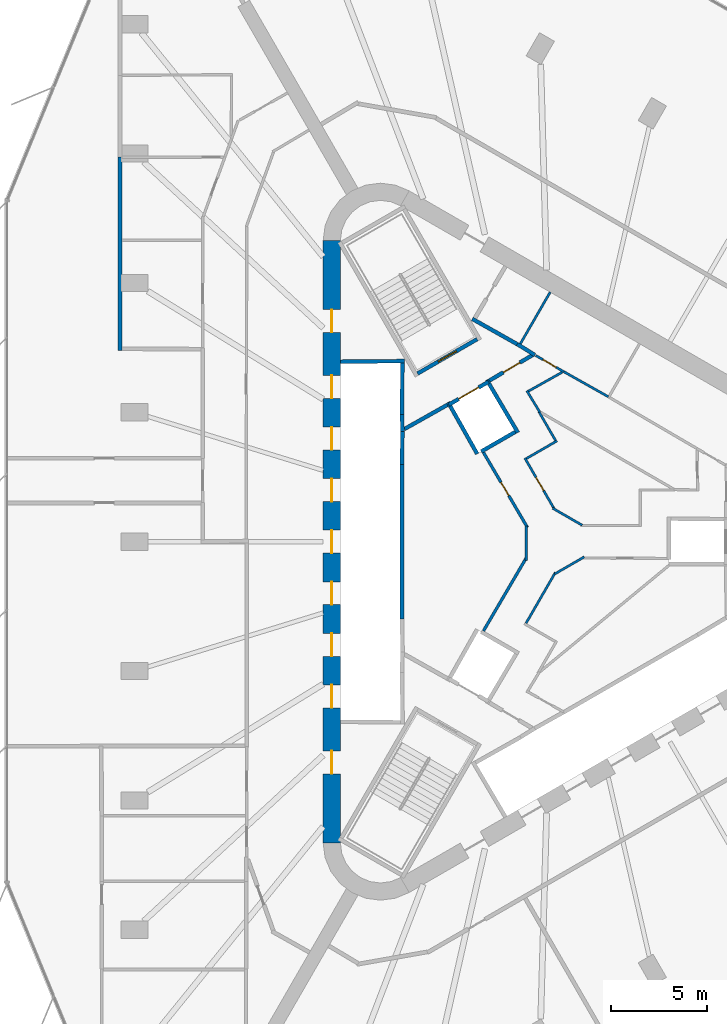
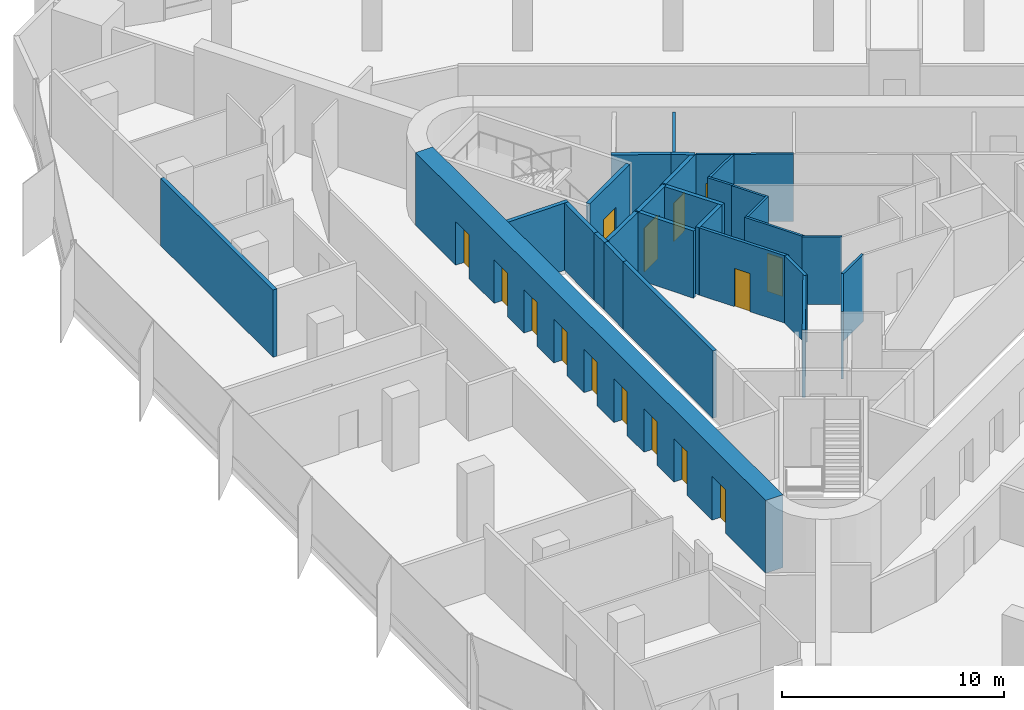
# One storey, part 10 of 14: 30 walls, 15 doors, 15 openings.
"""IFC4 building model written with IfcOpenShell, lengths in metres."""

from ifc_helpers import new_model, si_unit, direction, frame, frame_2d, origin, place, context, subcontext, project, spatial, rectangle, extrude, material, layer, layer_set, type_object, element, fill, save


model = new_model("IFC4")

# Units and contexts
model_context = context("Model", 3, precision=1e-05, world=origin(), true_north=direction((0.0, 1.0)))
body_context = subcontext(model_context, "Body", "Model", "MODEL_VIEW")
ifc_project = project(units=[si_unit("LENGTHUNIT", "METRE"), si_unit("AREAUNIT", "SQUARE_METRE"), si_unit("VOLUMEUNIT", "CUBIC_METRE"), si_unit("PLANEANGLEUNIT", "RADIAN"), si_unit("MASSUNIT", "GRAM", prefix="KILO")], contexts=[model_context])

# Site, building, storey
site_placement = place(None, origin())
site = spatial("IfcSite", under=ifc_project, at=site_placement, CompositionType="ELEMENT")
building_placement = place(site_placement, origin())
building = spatial("IfcBuilding", under=site, at=building_placement, Name="Tanit Gate Tower", CompositionType="ELEMENT")
storey_placement = place(building_placement, frame((0.0, 0.0, 237.199951171875)))
storey = spatial("IfcBuildingStorey", under=building, at=storey_placement, Name="L53", CompositionType="ELEMENT", Elevation=237.199951171875)

# Wall, openings, doors
ifc_material_1 = material(Name="Concrete C50/60", Category="concrete")
ifc_layer_1 = layer(ifc_material_1, 0.89990234375)
ifc_layer_set_1 = layer_set([ifc_layer_1], Name="CORE WALL 900 C50/60")
wall_type_1 = type_object("IfcWallType", Name="CORE WALL 900 C50/60", PredefinedType="SHEAR", material=ifc_layer_set_1)
wall_1_placement = place(storey_placement, frame((-11.64990234375, 15.76171875, 0.0), z_axis=(0.0, 0.0, 1.0), x_axis=(0.0, -1.0, 0.0)))
wall_1 = element("IfcWall", 1, at=wall_1_placement, inside=storey, type_object=wall_type_1, Name="CORE WALL", PredefinedType="SHEAR", context=body_context, shape_type="SweptSolid", body=[
    extrude(rectangle(XDim=31.5234375, YDim=0.89990234375, at=frame_2d((15.76171875, 0.0))), origin(), (0.0, 0.0, 1.0), 4.0),
])
opening_1_placement = place(wall_1_placement, frame((7.061767578125, 0.0, 0.0)))
opening_1 = element("IfcOpeningElement", 2, at=opening_1_placement, cuts=wall_1, Name="Opening LDML1-S14", PredefinedType="OPENING", context=body_context, shape_type="SweptSolid", body=[
    extrude(rectangle(XDim=1.199951171875, YDim=2.39990234375, at=frame_2d((0.60009765625, 1.199951171875))), frame((0.0, 0.4599609375, 0.0), z_axis=(0.0, -1.0, 0.0), x_axis=(1.0, 0.0, 0.0)), (0.0, 0.0, 1.0), 0.919921875),
])
opening_2_placement = place(wall_1_placement, frame((9.76171875, 0.0, 0.0)))
opening_2 = element("IfcOpeningElement", 3, at=opening_2_placement, cuts=wall_1, Name="Opening LDML2-S14", PredefinedType="OPENING", context=body_context, shape_type="SweptSolid", body=[
    extrude(rectangle(XDim=1.199951171875, YDim=2.39990234375, at=frame_2d((0.60009765625, 1.199951171875))), frame((0.0, 0.4599609375, 0.0), z_axis=(0.0, -1.0, 0.0), x_axis=(1.0, 0.0, 0.0)), (0.0, 0.0, 1.0), 0.919921875),
])
opening_3_placement = place(wall_1_placement, frame((12.461669921875, 0.0, 0.0)))
opening_3 = element("IfcOpeningElement", 4, at=opening_3_placement, cuts=wall_1, Name="Opening LDML3-S14", PredefinedType="OPENING", context=body_context, shape_type="SweptSolid", body=[
    extrude(rectangle(XDim=1.199951171875, YDim=2.39990234375, at=frame_2d((0.60009765625, 1.199951171875))), frame((0.0, 0.4599609375, 0.0), z_axis=(0.0, -1.0, 0.0), x_axis=(1.0, 0.0, 0.0)), (0.0, 0.0, 1.0), 0.919921875),
])
opening_4_placement = place(wall_1_placement, frame((15.16162109375, 0.0, 0.0)))
opening_4 = element("IfcOpeningElement", 5, at=opening_4_placement, cuts=wall_1, Name="Opening LDML4-S14", PredefinedType="OPENING", context=body_context, shape_type="SweptSolid", body=[
    extrude(rectangle(XDim=1.199951171875, YDim=2.39990234375, at=frame_2d((0.60009765625, 1.199951171875))), frame((0.0, 0.4599609375, 0.0), z_axis=(0.0, -1.0, 0.0), x_axis=(1.0, 0.0, 0.0)), (0.0, 0.0, 1.0), 0.919921875),
])
opening_5_placement = place(wall_1_placement, frame((17.86181640625, 0.0, 0.0)))
opening_5 = element("IfcOpeningElement", 6, at=opening_5_placement, cuts=wall_1, Name="Opening LDML5-S14", PredefinedType="OPENING", context=body_context, shape_type="SweptSolid", body=[
    extrude(rectangle(XDim=1.199951171875, YDim=2.39990234375, at=frame_2d((0.60009765625, 1.199951171875))), frame((0.0, 0.4599609375, 0.0), z_axis=(0.0, -1.0, 0.0), x_axis=(1.0, 0.0, 0.0)), (0.0, 0.0, 1.0), 0.919921875),
])
opening_6_placement = place(wall_1_placement, frame((20.561767578125, 0.0, 0.0)))
opening_6 = element("IfcOpeningElement", 7, at=opening_6_placement, cuts=wall_1, Name="Opening LDML6-S14", PredefinedType="OPENING", context=body_context, shape_type="SweptSolid", body=[
    extrude(rectangle(XDim=1.199951171875, YDim=2.39990234375, at=frame_2d((0.60009765625, 1.199951171875))), frame((0.0, 0.4599609375, 0.0), z_axis=(0.0, -1.0, 0.0), x_axis=(1.0, 0.0, 0.0)), (0.0, 0.0, 1.0), 0.919921875),
])
opening_7_placement = place(wall_1_placement, frame((23.26171875, 0.0, 0.0)))
opening_7 = element("IfcOpeningElement", 8, at=opening_7_placement, cuts=wall_1, Name="Opening LDML7-S14", PredefinedType="OPENING", context=body_context, shape_type="SweptSolid", body=[
    extrude(rectangle(XDim=1.199951171875, YDim=2.39990234375, at=frame_2d((0.60009765625, 1.199951171875))), frame((0.0, 0.4599609375, 0.0), z_axis=(0.0, -1.0, 0.0), x_axis=(1.0, 0.0, 0.0)), (0.0, 0.0, 1.0), 0.919921875),
])
opening_8_placement = place(wall_1_placement, frame((3.61181640625, 0.0, 0.0)))
opening_8 = element("IfcOpeningElement", 9, at=opening_8_placement, cuts=wall_1, Name="Opening F12-S14-FL2", PredefinedType="OPENING", context=body_context, shape_type="SweptSolid", body=[
    extrude(rectangle(XDim=1.199951171875, YDim=2.39990234375, at=frame_2d((0.60009765625, 1.199951171875))), frame((0.0, 0.4599609375, 0.0), z_axis=(0.0, -1.0, 0.0), x_axis=(1.0, 0.0, 0.0)), (0.0, 0.0, 1.0), 0.919921875),
])
opening_9_placement = place(wall_1_placement, frame((26.711669921875, 0.0, 0.0)))
opening_9 = element("IfcOpeningElement", 10, at=opening_9_placement, cuts=wall_1, Name="Opening F12-S14-S3", PredefinedType="OPENING", context=body_context, shape_type="SweptSolid", body=[
    extrude(rectangle(XDim=1.199951171875, YDim=2.39990234375, at=frame_2d((0.60009765625, 1.199951171875))), frame((0.0, 0.4599609375, 0.0), z_axis=(0.0, -1.0, 0.0), x_axis=(1.0, 0.0, 0.0)), (0.0, 0.0, 1.0), 0.919921875),
])
ifc_material_2 = material(Name="Fire-rated steel door leaf", Category="steel")
door_type_1 = type_object("IfcDoorType", Name="INT-DOOR-FIRE-LOBBY-1200", OperationType="NOTDEFINED", PredefinedType="USERDEFINED", material=ifc_material_2)
door_1_placement = place(opening_8_placement, origin())
door_1 = element("IfcDoor", 11, at=door_1_placement, inside=storey, type_object=door_type_1, Name="Door F12-S14-FL2", ObjectType="FIRE DOOR", OperationType="SINGLE_SWING_LEFT", OverallHeight=2.39990234375, OverallWidth=1.199951171875, PredefinedType="USERDEFINED", context=body_context, shape_type="SweptSolid", body=[
    extrude(rectangle(XDim=1.199951171875, YDim=2.39990234375, at=frame_2d((0.60009765625, 1.199951171875))), frame((0.0, 0.02490234375, 0.0), z_axis=(0.0, -1.0, 0.0), x_axis=(1.0, 0.0, 0.0)), (0.0, 0.0, 1.0), 0.050048828125),
])
fill(opening_8, door_1)
door_2_placement = place(opening_9_placement, origin())
door_2 = element("IfcDoor", 12, at=door_2_placement, inside=storey, type_object=door_type_1, Name="Door F12-S14-S3", ObjectType="FIRE DOOR", OperationType="SINGLE_SWING_LEFT", OverallHeight=2.39990234375, OverallWidth=1.199951171875, PredefinedType="USERDEFINED", context=body_context, shape_type="SweptSolid", body=[
    extrude(rectangle(XDim=1.199951171875, YDim=2.39990234375, at=frame_2d((0.60009765625, 1.199951171875))), frame((0.0, 0.02490234375, 0.0), z_axis=(0.0, -1.0, 0.0), x_axis=(1.0, 0.0, 0.0)), (0.0, 0.0, 1.0), 0.050048828125),
])
fill(opening_9, door_2)
ifc_material_3 = material(Name="Stainless steel sliding door leaf", Category="steel")
door_type_2 = type_object("IfcDoorType", Name="INT-DOOR-LANDING-1200", OperationType="NOTDEFINED", PredefinedType="USERDEFINED", material=ifc_material_3)
door_3_placement = place(opening_1_placement, origin())
door_3 = element("IfcDoor", 13, at=door_3_placement, inside=storey, type_object=door_type_2, Name="Door LDML1-S14", ObjectType="LANDING DOOR", OperationType="SLIDING_TO_LEFT", OverallHeight=2.39990234375, OverallWidth=1.199951171875, PredefinedType="USERDEFINED", context=body_context, shape_type="SweptSolid", body=[
    extrude(rectangle(XDim=1.199951171875, YDim=2.39990234375, at=frame_2d((0.60009765625, 1.199951171875))), frame((0.0, 0.02490234375, 0.0), z_axis=(0.0, -1.0, 0.0), x_axis=(1.0, 0.0, 0.0)), (0.0, 0.0, 1.0), 0.050048828125),
])
fill(opening_1, door_3)
door_4_placement = place(opening_2_placement, origin())
door_4 = element("IfcDoor", 14, at=door_4_placement, inside=storey, type_object=door_type_2, Name="Door LDML2-S14", ObjectType="LANDING DOOR", OperationType="SLIDING_TO_LEFT", OverallHeight=2.39990234375, OverallWidth=1.199951171875, PredefinedType="USERDEFINED", context=body_context, shape_type="SweptSolid", body=[
    extrude(rectangle(XDim=1.199951171875, YDim=2.39990234375, at=frame_2d((0.60009765625, 1.199951171875))), frame((0.0, 0.02490234375, 0.0), z_axis=(0.0, -1.0, 0.0), x_axis=(1.0, 0.0, 0.0)), (0.0, 0.0, 1.0), 0.050048828125),
])
fill(opening_2, door_4)
door_5_placement = place(opening_3_placement, origin())
door_5 = element("IfcDoor", 15, at=door_5_placement, inside=storey, type_object=door_type_2, Name="Door LDML3-S14", ObjectType="LANDING DOOR", OperationType="SLIDING_TO_LEFT", OverallHeight=2.39990234375, OverallWidth=1.199951171875, PredefinedType="USERDEFINED", context=body_context, shape_type="SweptSolid", body=[
    extrude(rectangle(XDim=1.199951171875, YDim=2.39990234375, at=frame_2d((0.60009765625, 1.199951171875))), frame((0.0, 0.02490234375, 0.0), z_axis=(0.0, -1.0, 0.0), x_axis=(1.0, 0.0, 0.0)), (0.0, 0.0, 1.0), 0.050048828125),
])
fill(opening_3, door_5)
door_6_placement = place(opening_4_placement, origin())
door_6 = element("IfcDoor", 16, at=door_6_placement, inside=storey, type_object=door_type_2, Name="Door LDML4-S14", ObjectType="LANDING DOOR", OperationType="SLIDING_TO_LEFT", OverallHeight=2.39990234375, OverallWidth=1.199951171875, PredefinedType="USERDEFINED", context=body_context, shape_type="SweptSolid", body=[
    extrude(rectangle(XDim=1.199951171875, YDim=2.39990234375, at=frame_2d((0.60009765625, 1.199951171875))), frame((0.0, 0.02490234375, 0.0), z_axis=(0.0, -1.0, 0.0), x_axis=(1.0, 0.0, 0.0)), (0.0, 0.0, 1.0), 0.050048828125),
])
fill(opening_4, door_6)
door_7_placement = place(opening_5_placement, origin())
door_7 = element("IfcDoor", 17, at=door_7_placement, inside=storey, type_object=door_type_2, Name="Door LDML5-S14", ObjectType="LANDING DOOR", OperationType="SLIDING_TO_LEFT", OverallHeight=2.39990234375, OverallWidth=1.199951171875, PredefinedType="USERDEFINED", context=body_context, shape_type="SweptSolid", body=[
    extrude(rectangle(XDim=1.199951171875, YDim=2.39990234375, at=frame_2d((0.60009765625, 1.199951171875))), frame((0.0, 0.02490234375, 0.0), z_axis=(0.0, -1.0, 0.0), x_axis=(1.0, 0.0, 0.0)), (0.0, 0.0, 1.0), 0.050048828125),
])
fill(opening_5, door_7)
door_8_placement = place(opening_6_placement, origin())
door_8 = element("IfcDoor", 18, at=door_8_placement, inside=storey, type_object=door_type_2, Name="Door LDML6-S14", ObjectType="LANDING DOOR", OperationType="SLIDING_TO_LEFT", OverallHeight=2.39990234375, OverallWidth=1.199951171875, PredefinedType="USERDEFINED", context=body_context, shape_type="SweptSolid", body=[
    extrude(rectangle(XDim=1.199951171875, YDim=2.39990234375, at=frame_2d((0.60009765625, 1.199951171875))), frame((0.0, 0.02490234375, 0.0), z_axis=(0.0, -1.0, 0.0), x_axis=(1.0, 0.0, 0.0)), (0.0, 0.0, 1.0), 0.050048828125),
])
fill(opening_6, door_8)
door_9_placement = place(opening_7_placement, origin())
door_9 = element("IfcDoor", 19, at=door_9_placement, inside=storey, type_object=door_type_2, Name="Door LDML7-S14", ObjectType="LANDING DOOR", OperationType="SLIDING_TO_LEFT", OverallHeight=2.39990234375, OverallWidth=1.199951171875, PredefinedType="USERDEFINED", context=body_context, shape_type="SweptSolid", body=[
    extrude(rectangle(XDim=1.199951171875, YDim=2.39990234375, at=frame_2d((0.60009765625, 1.199951171875))), frame((0.0, 0.02490234375, 0.0), z_axis=(0.0, -1.0, 0.0), x_axis=(1.0, 0.0, 0.0)), (0.0, 0.0, 1.0), 0.050048828125),
])
fill(opening_7, door_9)

# Walls
ifc_material_4 = material(Name="Fire-rated gypsum board partition")
ifc_layer_2 = layer(ifc_material_4, 0.199951171875)
ifc_layer_set_2 = layer_set([ifc_layer_2], Name="INT-WALL-COMPARTMENT")
wall_type_2 = type_object("IfcWallType", Name="INT-WALL-COMPARTMENT", PredefinedType="PARTITIONING", material=ifc_layer_set_2)
wall_2_placement = place(storey_placement, frame((-1.940673828125, 10.338623046875, 0.0), z_axis=(0.0, 0.0, 1.0), x_axis=(0.850216889117, -0.526432561171, 0.0)))
element("IfcWall", 20, at=wall_2_placement, inside=storey, type_object=wall_type_2, Name="Wall Compartment W054", PredefinedType="PARTITIONING", context=body_context, shape_type="SweptSolid", body=[
    extrude(rectangle(XDim=1.078369140625, YDim=0.199951171875, at=frame_2d((0.5390625, 0.0))), origin(), (0.0, 0.0, 1.0), 3.699951171875),
])
wall_3_placement = place(storey_placement, frame((-4.296142578125, 11.658935546875, 0.0), z_axis=(0.0, 0.0, 1.0), x_axis=(0.871534483978, -0.490334215854, 0.0)))
element("IfcWall", 21, at=wall_3_placement, inside=storey, type_object=wall_type_2, Name="Wall Compartment W057", PredefinedType="PARTITIONING", context=body_context, shape_type="SweptSolid", body=[
    extrude(rectangle(XDim=2.7001953125, YDim=0.199951171875, at=frame_2d((1.35009765625, 0.0))), origin(), (0.0, 0.0, 1.0), 3.699951171875),
])
wall_4_placement = place(storey_placement, frame((-5.600341796875, 7.16015625, 0.0), z_axis=(0.0, 0.0, 1.0), x_axis=(-0.871340486379, -0.490678873396, 0.0)))
element("IfcWall", 22, at=wall_4_placement, inside=storey, type_object=wall_type_2, Name="Wall Compartment W063", PredefinedType="PARTITIONING", context=body_context, shape_type="SweptSolid", body=[
    extrude(rectangle(XDim=2.580810546875, YDim=0.199951171875, at=frame_2d((1.29052734375, 0.0))), origin(), (0.0, 0.0, 1.0), 3.699951171875),
])

# Wall, opening, door
wall_5_placement = place(storey_placement, frame((-1.069091796875, 9.809814453125, 0.0), z_axis=(0.0, 0.0, 1.0), x_axis=(-0.860617791406, -0.509251428192, 0.0)))
wall_5 = element("IfcWall", 23, at=wall_5_placement, inside=storey, type_object=wall_type_2, Name="Wall Compartment W064", PredefinedType="PARTITIONING", context=body_context, shape_type="SweptSolid", body=[
    extrude(rectangle(XDim=2.709228515625, YDim=0.199951171875, at=frame_2d((1.3544921875, 0.0))), origin(), (0.0, 0.0, 1.0), 3.699951171875),
])
opening_10_placement = place(wall_5_placement, frame((0.86083984375, 0.0, 0.0)))
opening_10 = element("IfcOpeningElement", 24, at=opening_10_placement, cuts=wall_5, Name="Opening F10-S14-05", PredefinedType="OPENING", context=body_context, shape_type="SweptSolid", body=[
    extrude(rectangle(XDim=1.0, YDim=2.10009765625, at=frame_2d((0.5, 1.050048828125))), frame((0.0, 0.10986328125, 0.0), z_axis=(0.0, -1.0, 0.0), x_axis=(1.0, 0.0, 0.0)), (0.0, 0.0, 1.0), 0.219970703125),
])
ifc_material_5 = material(Name="Fire-rated steel door leaf", Category="steel")
door_type_3 = type_object("IfcDoorType", Name="INT-DOOR-FIRE-1000", OperationType="NOTDEFINED", PredefinedType="USERDEFINED", material=ifc_material_5)
door_10_placement = place(opening_10_placement, origin())
door_10 = element("IfcDoor", 25, at=door_10_placement, inside=storey, type_object=door_type_3, Name="Door F10-S14-05", ObjectType="FIRE DOOR", OperationType="SINGLE_SWING_LEFT", OverallHeight=2.10009765625, OverallWidth=1.0, PredefinedType="USERDEFINED", context=body_context, shape_type="SweptSolid", body=[
    extrude(rectangle(XDim=1.0, YDim=2.10009765625, at=frame_2d((0.5, 1.050048828125))), frame((0.0, 0.02490234375, 0.0), z_axis=(0.0, -1.0, 0.0), x_axis=(1.0, 0.0, 0.0)), (0.0, 0.0, 1.0), 0.050048828125),
])
fill(opening_10, door_10)

# Wall
wall_6_placement = place(storey_placement, frame((-22.72998046875, 10.0, 0.0), z_axis=(0.0, 0.0, 1.0), x_axis=(0.0, 1.0, 0.0)))
element("IfcWall", 26, at=wall_6_placement, inside=storey, type_object=wall_type_2, Name="Wall Compartment W139", PredefinedType="PARTITIONING", context=body_context, shape_type="SweptSolid", body=[
    extrude(rectangle(XDim=10.124267578125, YDim=0.199951171875, at=frame_2d((5.06201171875, 0.0))), origin(), (0.0, 0.0, 1.0), 3.699951171875),
])

# Wall, opening, door
ifc_material_6 = material(Name="Gypsum board partition")
ifc_layer_3 = layer(ifc_material_6, 0.1201171875)
ifc_layer_set_3 = layer_set([ifc_layer_3], Name="INT-WALL-PARTITION")
wall_type_3 = type_object("IfcWallType", Name="INT-WALL-PARTITION", PredefinedType="PARTITIONING", material=ifc_layer_set_3)
wall_7_placement = place(storey_placement, frame((-0.980712890625, 9.74609375, 0.0), z_axis=(0.0, 0.0, 1.0), x_axis=(0.866027945518, -0.499995597562, 0.0)))
wall_7 = element("IfcWall", 27, at=wall_7_placement, inside=storey, type_object=wall_type_3, Name="Wall Partition W056", PredefinedType="PARTITIONING", context=body_context, shape_type="SweptSolid", body=[
    extrude(rectangle(XDim=1.7021484375, YDim=0.1201171875, at=frame_2d((0.85107421875, 0.0))), origin(), (0.0, 0.0, 1.0), 3.699951171875),
])
opening_11_placement = place(wall_7_placement, frame((0.440673828125, 0.0, 0.0)))
opening_11 = element("IfcOpeningElement", 28, at=opening_11_placement, cuts=wall_7, Name="Opening R08-S14-16", PredefinedType="OPENING", context=body_context, shape_type="SweptSolid", body=[
    extrude(rectangle(XDim=0.800048828125, YDim=2.10009765625, at=frame_2d((0.39990234375, 1.050048828125))), frame((0.0, 0.070068359375, 0.0), z_axis=(0.0, -1.0, 0.0), x_axis=(1.0, 0.0, 0.0)), (0.0, 0.0, 1.0), 0.14013671875),
])
ifc_material_7 = material(Name="Timber door leaf", Category="wood")
door_type_4 = type_object("IfcDoorType", Name="INT-DOOR-RISER-800", OperationType="NOTDEFINED", PredefinedType="USERDEFINED", material=ifc_material_7)
door_11_placement = place(opening_11_placement, origin())
door_11 = element("IfcDoor", 29, at=door_11_placement, inside=storey, type_object=door_type_4, Name="Door R08-S14-16", ObjectType="FIRE DOOR", OperationType="SINGLE_SWING_LEFT", OverallHeight=2.10009765625, OverallWidth=0.800048828125, PredefinedType="USERDEFINED", context=body_context, shape_type="SweptSolid", body=[
    extrude(rectangle(XDim=0.800048828125, YDim=2.10009765625, at=frame_2d((0.39990234375, 1.050048828125))), frame((0.0, 0.02490234375, 0.0), z_axis=(0.0, -1.0, 0.0), x_axis=(1.0, 0.0, 0.0)), (0.0, 0.0, 1.0), 0.050048828125),
])
fill(opening_11, door_11)

# Walls
wall_8_placement = place(storey_placement, frame((-0.2197265625, 13.0595703125, 0.0), z_axis=(0.0, 0.0, 1.0), x_axis=(-0.499984717929, -0.866034226713, 0.0)))
element("IfcWall", 30, at=wall_8_placement, inside=storey, type_object=wall_type_3, Name="Wall Partition W053", PredefinedType="PARTITIONING", context=body_context, shape_type="SweptSolid", body=[
    extrude(rectangle(XDim=3.25, YDim=0.1201171875, at=frame_2d((1.625, 0.0))), origin(), (0.0, 0.0, 1.0), 3.699951171875),
])
wall_9_placement = place(storey_placement, frame((2.82080078125, 7.5859375, 0.0), z_axis=(0.0, 0.0, 1.0), x_axis=(-0.871426548871, 0.490526013503, 0.0)))
element("IfcWall", 31, at=wall_9_placement, inside=storey, type_object=wall_type_3, Name="Wall Partition W055", PredefinedType="PARTITIONING", context=body_context, shape_type="SweptSolid", body=[
    extrude(rectangle(XDim=2.670166015625, YDim=0.1201171875, at=frame_2d((1.3349609375, 0.0))), origin(), (0.0, 0.0, 1.0), 3.699951171875),
])
wall_10_placement = place(storey_placement, frame((0.052001953125, -1.610107421875, 0.0), z_axis=(0.0, 0.0, 1.0), x_axis=(-0.500011413361, -0.866018814177, 0.0)))
element("IfcWall", 32, at=wall_10_placement, inside=storey, type_object=wall_type_3, Name="Wall Partition W075", PredefinedType="PARTITIONING", context=body_context, shape_type="SweptSolid", body=[
    extrude(rectangle(XDim=3.07177734375, YDim=0.1201171875, at=frame_2d((1.535888671875, 0.0))), origin(), (0.0, 0.0, 1.0), 3.699951171875),
])
wall_11_placement = place(storey_placement, frame((1.560791015625, -0.798828125, 0.0), z_axis=(0.0, 0.0, 1.0), x_axis=(-0.866019189511, -0.500010763282, 0.0)))
element("IfcWall", 33, at=wall_11_placement, inside=storey, type_object=wall_type_3, Name="Wall Partition W076", PredefinedType="PARTITIONING", context=body_context, shape_type="SweptSolid", body=[
    extrude(rectangle(XDim=1.78369140625, YDim=0.1201171875, at=frame_2d((0.891845703125, 0.0))), origin(), (0.0, 0.0, 1.0), 3.699951171875),
])
wall_12_placement = place(storey_placement, frame((-1.44287109375, 7.896484375, 0.0), z_axis=(0.0, 0.0, 1.0), x_axis=(0.520289543849, -0.853989924157, 0.0)))
element("IfcWall", 34, at=wall_12_placement, inside=storey, type_object=wall_type_3, Name="Wall Partition W079", PredefinedType="PARTITIONING", context=body_context, shape_type="SweptSolid", body=[
    extrude(rectangle(XDim=1.31103515625, YDim=0.1201171875, at=frame_2d((0.655517578125, 0.0))), origin(), (0.0, 0.0, 1.0), 3.699951171875),
])
wall_13_placement = place(storey_placement, frame((0.414306640625, 8.87109375, 0.0), z_axis=(0.0, 0.0, 1.0), x_axis=(-0.871809386997, -0.48984527429, 0.0)))
element("IfcWall", 35, at=wall_13_placement, inside=storey, type_object=wall_type_3, Name="Wall Partition W080", PredefinedType="PARTITIONING", context=body_context, shape_type="SweptSolid", body=[
    extrude(rectangle(XDim=2.034423828125, YDim=0.1201171875, at=frame_2d((1.01708984375, 0.0))), origin(), (0.0, 0.0, 1.0), 3.699951171875),
])
wall_14_placement = place(storey_placement, frame((-0.090087890625, 1.751953125, 0.0), z_axis=(0.0, 0.0, 1.0), x_axis=(0.866046676307, -0.4999631531, 0.0)))
element("IfcWall", 36, at=wall_14_placement, inside=storey, type_object=wall_type_3, Name="Wall Partition W086", PredefinedType="PARTITIONING", context=body_context, shape_type="SweptSolid", body=[
    extrude(rectangle(XDim=1.785400390625, YDim=0.1201171875, at=frame_2d((0.892578125, 0.0))), origin(), (0.0, 0.0, 1.0), 3.699951171875),
])

# Wall, opening, door
wall_15_placement = place(storey_placement, frame((-1.5439453125, 4.3740234375, 0.0), z_axis=(0.0, 0.0, 1.0), x_axis=(0.500023124857, -0.86601205223, 0.0)))
wall_15 = element("IfcWall", 37, at=wall_15_placement, inside=storey, type_object=wall_type_3, Name="Wall Partition W087", PredefinedType="PARTITIONING", context=body_context, shape_type="SweptSolid", body=[
    extrude(rectangle(XDim=3.069091796875, YDim=0.1201171875, at=frame_2d((1.53466796875, 0.0))), origin(), (0.0, 0.0, 1.0), 3.699951171875),
])
opening_12_placement = place(wall_15_placement, frame((1.16455078125, 0.0, 0.0)))
opening_12 = element("IfcOpeningElement", 38, at=opening_12_placement, cuts=wall_15, Name="Opening R08-S14-14", PredefinedType="OPENING", context=body_context, shape_type="SweptSolid", body=[
    extrude(rectangle(XDim=0.800048828125, YDim=2.10009765625, at=frame_2d((0.39990234375, 1.050048828125))), frame((0.0, 0.070068359375, 0.0), z_axis=(0.0, -1.0, 0.0), x_axis=(1.0, 0.0, 0.0)), (0.0, 0.0, 1.0), 0.14013671875),
])
door_12_placement = place(opening_12_placement, origin())
door_12 = element("IfcDoor", 39, at=door_12_placement, inside=storey, type_object=door_type_4, Name="Door R08-S14-14", ObjectType="FIRE DOOR", OperationType="SINGLE_SWING_RIGHT", OverallHeight=2.10009765625, OverallWidth=0.800048828125, PredefinedType="USERDEFINED", context=body_context, shape_type="SweptSolid", body=[
    extrude(rectangle(XDim=0.800048828125, YDim=2.10009765625, at=frame_2d((0.39990234375, 1.050048828125))), frame((0.0, 0.02490234375, 0.0), z_axis=(0.0, -1.0, 0.0), x_axis=(1.0, 0.0, 0.0)), (0.0, 0.0, 1.0), 0.050048828125),
])
fill(opening_12, door_12)

# Walls
wall_16_placement = place(storey_placement, frame((0.14013671875, 5.277099609375, 0.0), z_axis=(0.0, 0.0, 1.0), x_axis=(-0.866000971088, -0.500042316284, 0.0)))
element("IfcWall", 40, at=wall_16_placement, inside=storey, type_object=wall_type_3, Name="Wall Partition W088", PredefinedType="PARTITIONING", context=body_context, shape_type="SweptSolid", body=[
    extrude(rectangle(XDim=1.849853515625, YDim=0.1201171875, at=frame_2d((0.9248046875, 0.0))), origin(), (0.0, 0.0, 1.0), 3.699951171875),
])
wall_17_placement = place(storey_placement, frame((-0.81201171875, 6.806396484375, 0.0), z_axis=(0.0, 0.0, 1.0), x_axis=(0.500046227757, -0.865998712531, 0.0)))
element("IfcWall", 41, at=wall_17_placement, inside=storey, type_object=wall_type_3, Name="Wall Partition W089", PredefinedType="PARTITIONING", context=body_context, shape_type="SweptSolid", body=[
    extrude(rectangle(XDim=1.740478515625, YDim=0.1201171875, at=frame_2d((0.8701171875, 0.0))), origin(), (0.0, 0.0, 1.0), 3.699951171875),
])

# Wall, opening, door
ifc_material_8 = material(Name="Fire-rated gypsum board partition")
ifc_layer_4 = layer(ifc_material_8, 0.14990234375)
ifc_layer_set_4 = layer_set([ifc_layer_4], Name="INT-WALL-RISER")
wall_type_4 = type_object("IfcWallType", Name="INT-WALL-RISER", PredefinedType="PLUMBINGWALL", material=ifc_layer_set_4)
wall_18_placement = place(storey_placement, frame((-1.407470703125, 0.739501953125, 0.0), z_axis=(0.0, 0.0, 1.0), x_axis=(-0.505642484845, 0.862743112125, 0.0)))
wall_18 = element("IfcWall", 42, at=wall_18_placement, inside=storey, type_object=wall_type_4, Name="Wall Riser W067", PredefinedType="PLUMBINGWALL", context=body_context, shape_type="SweptSolid", body=[
    extrude(rectangle(XDim=4.555908203125, YDim=0.14990234375, at=frame_2d((2.27783203125, 0.0))), origin(), (0.0, 0.0, 1.0), 3.699951171875),
])
opening_13_placement = place(wall_18_placement, frame((1.94189453125, 0.0, 0.0)))
opening_13 = element("IfcOpeningElement", 43, at=opening_13_placement, cuts=wall_18, Name="Opening R08-S14-10", PredefinedType="OPENING", context=body_context, shape_type="SweptSolid", body=[
    extrude(rectangle(XDim=0.800048828125, YDim=2.10009765625, at=frame_2d((0.39990234375, 1.050048828125))), frame((0.0, 0.0849609375, 0.0), z_axis=(0.0, -1.0, 0.0), x_axis=(1.0, 0.0, 0.0)), (0.0, 0.0, 1.0), 0.169921875),
])
door_13_placement = place(opening_13_placement, origin())
door_13 = element("IfcDoor", 44, at=door_13_placement, inside=storey, type_object=door_type_4, Name="Door R08-S14-10", ObjectType="FIRE DOOR", OperationType="SINGLE_SWING_RIGHT", OverallHeight=2.10009765625, OverallWidth=0.800048828125, PredefinedType="USERDEFINED", context=body_context, shape_type="SweptSolid", body=[
    extrude(rectangle(XDim=0.800048828125, YDim=2.10009765625, at=frame_2d((0.39990234375, 1.050048828125))), frame((0.0, 0.02490234375, 0.0), z_axis=(0.0, -1.0, 0.0), x_axis=(1.0, 0.0, 0.0)), (0.0, 0.0, 1.0), 0.050048828125),
])
fill(opening_13, door_13)

# Walls
wall_19_placement = place(storey_placement, frame((-1.47216796875, -0.97802734375, 0.0), z_axis=(0.0, 0.0, 1.0), x_axis=(0.0, 1.0, 0.0)))
element("IfcWall", 45, at=wall_19_placement, inside=storey, type_object=wall_type_4, Name="Wall Riser W068", PredefinedType="PLUMBINGWALL", context=body_context, shape_type="SweptSolid", body=[
    extrude(rectangle(XDim=1.804443359375, YDim=0.14990234375, at=frame_2d((0.90234375, 0.0))), origin(), (0.0, 0.0, 1.0), 3.699951171875),
])
wall_20_placement = place(storey_placement, frame((-3.711181640625, -4.670166015625, 0.0), z_axis=(0.0, 0.0, 1.0), x_axis=(0.505648368764, 0.86273966361, 0.0)))
element("IfcWall", 46, at=wall_20_placement, inside=storey, type_object=wall_type_4, Name="Wall Riser W069", PredefinedType="PLUMBINGWALL", context=body_context, shape_type="SweptSolid", body=[
    extrude(rectangle(XDim=4.404296875, YDim=0.14990234375, at=frame_2d((2.2021484375, 0.0))), origin(), (0.0, 0.0, 1.0), 3.699951171875),
])
ifc_material_9 = material(Name="Gypsum shaft wall system")
ifc_layer_5 = layer(ifc_material_9, 0.199951171875)
ifc_layer_set_5 = layer_set([ifc_layer_5], Name="INT-WALL-SHAFT")
wall_type_5 = type_object("IfcWallType", Name="INT-WALL-SHAFT", PredefinedType="PLUMBINGWALL", material=ifc_layer_set_5)
wall_21_placement = place(storey_placement, frame((-11.199951171875, 9.419921875, 0.0), z_axis=(0.0, 0.0, 1.0), x_axis=(0.999957167047, 0.009255488683, 0.0)))
element("IfcWall", 47, at=wall_21_placement, inside=storey, type_object=wall_type_5, Name="Wall Shaft W001", PredefinedType="PLUMBINGWALL", context=body_context, shape_type="SweptSolid", body=[
    extrude(rectangle(XDim=3.35009765625, YDim=0.199951171875, at=frame_2d((1.675048828125, 0.0))), origin(), (0.0, 0.0, 1.0), 3.699951171875),
])
wall_22_placement = place(storey_placement, frame((-7.951171875, 9.35009765625, 0.0), z_axis=(0.0, 0.0, 1.0), x_axis=(-0.011120469654, -0.999938165666, 0.0)))
element("IfcWall", 48, at=wall_22_placement, inside=storey, type_object=wall_type_5, Name="Wall Shaft W002", PredefinedType="PLUMBINGWALL", context=body_context, shape_type="SweptSolid", body=[
    extrude(rectangle(XDim=2.700439453125, YDim=0.199951171875, at=frame_2d((1.35009765625, 0.0))), origin(), (0.0, 0.0, 1.0), 3.699951171875),
])
wall_23_placement = place(storey_placement, frame((-7.97705078125, 6.650146484375, 0.0), z_axis=(0.0, 0.0, 1.0), x_axis=(0.030861509705, -0.999523670164, 0.0)))
element("IfcWall", 49, at=wall_23_placement, inside=storey, type_object=wall_type_5, Name="Wall Shaft W003", PredefinedType="PLUMBINGWALL", context=body_context, shape_type="SweptSolid", body=[
    extrude(rectangle(XDim=0.878173828125, YDim=0.199951171875, at=frame_2d((0.43896484375, 0.0))), origin(), (0.0, 0.0, 1.0), 3.699951171875),
])
wall_24_placement = place(storey_placement, frame((-7.948974609375, 5.894287109375, 0.0), z_axis=(0.0, 0.0, 1.0), x_axis=(-0.016809909365, -0.999858703491, 0.0)))
element("IfcWall", 50, at=wall_24_placement, inside=storey, type_object=wall_type_5, Name="Wall Shaft W004", PredefinedType="PLUMBINGWALL", context=body_context, shape_type="SweptSolid", body=[
    extrude(rectangle(XDim=1.844482421875, YDim=0.199951171875, at=frame_2d((0.92236328125, 0.0))), origin(), (0.0, 0.0, 1.0), 3.699951171875),
])
wall_25_placement = place(storey_placement, frame((-7.97998046875, 4.050048828125, 0.0), z_axis=(0.0, 0.0, 1.0), x_axis=(0.0, -1.0, 0.0)))
element("IfcWall", 51, at=wall_25_placement, inside=storey, type_object=wall_type_5, Name="Wall Shaft W005", PredefinedType="PLUMBINGWALL", context=body_context, shape_type="SweptSolid", body=[
    extrude(rectangle(XDim=8.10009765625, YDim=0.199951171875, at=frame_2d((4.050048828125, 0.0))), origin(), (0.0, 0.0, 1.0), 3.699951171875),
])

# Wall, opening, door
wall_26_placement = place(storey_placement, frame((-5.524169921875, 7.168212890625, 0.0), z_axis=(0.0, 0.0, 1.0), x_axis=(0.866024647952, 0.500001309137, 0.0)))
wall_26 = element("IfcWall", 52, at=wall_26_placement, inside=storey, type_object=wall_type_5, Name="Wall Shaft W037", PredefinedType="PLUMBINGWALL", context=body_context, shape_type="SweptSolid", body=[
    extrude(rectangle(XDim=2.39990234375, YDim=0.199951171875, at=frame_2d((1.199951171875, 0.0))), origin(), (0.0, 0.0, 1.0), 3.699951171875),
])
opening_14_placement = place(wall_26_placement, frame((0.60009765625, 0.0, 0.0)))
opening_14 = element("IfcOpeningElement", 53, at=opening_14_placement, cuts=wall_26, Name="Opening LDFL2-L53", PredefinedType="OPENING", context=body_context, shape_type="SweptSolid", body=[
    extrude(rectangle(XDim=1.199951171875, YDim=2.39990234375, at=frame_2d((0.60009765625, 1.199951171875))), frame((0.0, 0.10986328125, 0.0), z_axis=(0.0, -1.0, 0.0), x_axis=(1.0, 0.0, 0.0)), (0.0, 0.0, 1.0), 0.219970703125),
])
door_14_placement = place(opening_14_placement, origin())
door_14 = element("IfcDoor", 54, at=door_14_placement, inside=storey, type_object=door_type_2, Name="Door LDFL2-L53", ObjectType="LANDING DOOR", OperationType="SLIDING_TO_LEFT", OverallHeight=2.39990234375, OverallWidth=1.199951171875, PredefinedType="USERDEFINED", context=body_context, shape_type="SweptSolid", body=[
    extrude(rectangle(XDim=1.199951171875, YDim=2.39990234375, at=frame_2d((0.60009765625, 1.199951171875))), frame((0.0, 0.02490234375, 0.0), z_axis=(0.0, -1.0, 0.0), x_axis=(1.0, 0.0, 0.0)), (0.0, 0.0, 1.0), 0.050048828125),
])
fill(opening_14, door_14)

# Walls
wall_27_placement = place(storey_placement, frame((-4.039306640625, 4.59619140625, 0.0), z_axis=(0.0, 0.0, 1.0), x_axis=(-0.491322718731, 0.870977603649, 0.0)))
element("IfcWall", 55, at=wall_27_placement, inside=storey, type_object=wall_type_5, Name="Wall Shaft W038", PredefinedType="PLUMBINGWALL", context=body_context, shape_type="SweptSolid", body=[
    extrude(rectangle(XDim=3.10009765625, YDim=0.199951171875, at=frame_2d((1.550048828125, 0.0))), origin(), (0.0, 0.0, 1.0), 3.699951171875),
])
wall_28_placement = place(storey_placement, frame((-3.53759765625, 8.46533203125, 0.0), z_axis=(0.0, 0.0, 1.0), x_axis=(0.508616218331, -0.860993346345, 0.0)))
element("IfcWall", 56, at=wall_28_placement, inside=storey, type_object=wall_type_5, Name="Wall Shaft W039", PredefinedType="PLUMBINGWALL", context=body_context, shape_type="SweptSolid", body=[
    extrude(rectangle(XDim=3.2001953125, YDim=0.199951171875, at=frame_2d((1.60009765625, 0.0))), origin(), (0.0, 0.0, 1.0), 3.699951171875),
])
wall_29_placement = place(storey_placement, frame((-2.04736328125, 5.74609375, 0.0), z_axis=(0.0, 0.0, 1.0), x_axis=(-0.86606290101, -0.499935047276, 0.0)))
element("IfcWall", 57, at=wall_29_placement, inside=storey, type_object=wall_type_5, Name="Wall Shaft W040", PredefinedType="PLUMBINGWALL", context=body_context, shape_type="SweptSolid", body=[
    extrude(rectangle(XDim=2.054443359375, YDim=0.199951171875, at=frame_2d((1.02734375, 0.0))), origin(), (0.0, 0.0, 1.0), 3.699951171875),
])

# Wall, opening, door
ifc_material_10 = material(Name="Concrete C40/50", Category="concrete")
ifc_layer_6 = layer(ifc_material_10, 0.199951171875)
ifc_layer_set_6 = layer_set([ifc_layer_6], Name="INT-WALL-STAIR")
wall_type_6 = type_object("IfcWallType", Name="INT-WALL-STAIR", PredefinedType="SHEAR", material=ifc_layer_set_6)
wall_30_placement = place(storey_placement, frame((-7.158935546875, 8.799560546875, -0.300048828125), z_axis=(0.0, 0.0, 1.0), x_axis=(0.866047807691, 0.499961193289, 0.0)))
wall_30 = element("IfcWall", 58, at=wall_30_placement, inside=storey, type_object=wall_type_6, Name="Wall Stair W036", PredefinedType="SHEAR", context=body_context, shape_type="SweptSolid", body=[
    extrude(rectangle(XDim=3.599853515625, YDim=0.199951171875, at=frame_2d((1.7998046875, 0.0))), origin(), (0.0, 0.0, 1.0), 4.0),
])
opening_15_placement = place(wall_30_placement, frame((1.25, 0.0, 0.300048828125)))
opening_15 = element("IfcOpeningElement", 59, at=opening_15_placement, cuts=wall_30, Name="Opening S11-S14-04", PredefinedType="OPENING", context=body_context, shape_type="SweptSolid", body=[
    extrude(rectangle(XDim=1.10009765625, YDim=2.10009765625, at=frame_2d((0.550048828125, 1.050048828125))), frame((0.0, 0.10986328125, 0.0), z_axis=(0.0, -1.0, 0.0), x_axis=(1.0, 0.0, 0.0)), (0.0, 0.0, 1.0), 0.219970703125),
])
ifc_material_11 = material(Name="Timber door leaf", Category="wood")
door_type_5 = type_object("IfcDoorType", Name="INT-DOOR-STAIR-1100", OperationType="NOTDEFINED", PredefinedType="USERDEFINED", material=ifc_material_11)
door_15_placement = place(opening_15_placement, origin())
door_15 = element("IfcDoor", 60, at=door_15_placement, inside=storey, type_object=door_type_5, Name="Door S11-S14-04", ObjectType="FIRE DOOR", OperationType="SINGLE_SWING_RIGHT", OverallHeight=2.10009765625, OverallWidth=1.10009765625, PredefinedType="USERDEFINED", context=body_context, shape_type="SweptSolid", body=[
    extrude(rectangle(XDim=1.10009765625, YDim=2.10009765625, at=frame_2d((0.550048828125, 1.050048828125))), frame((0.0, 0.02490234375, 0.0), z_axis=(0.0, -1.0, 0.0), x_axis=(1.0, 0.0, 0.0)), (0.0, 0.0, 1.0), 0.050048828125),
])
fill(opening_15, door_15)

save(model, "model.ifc")
